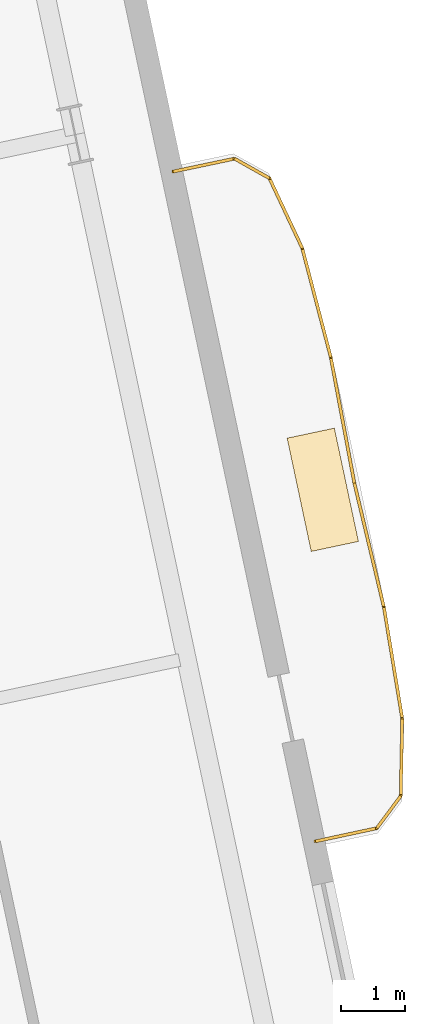
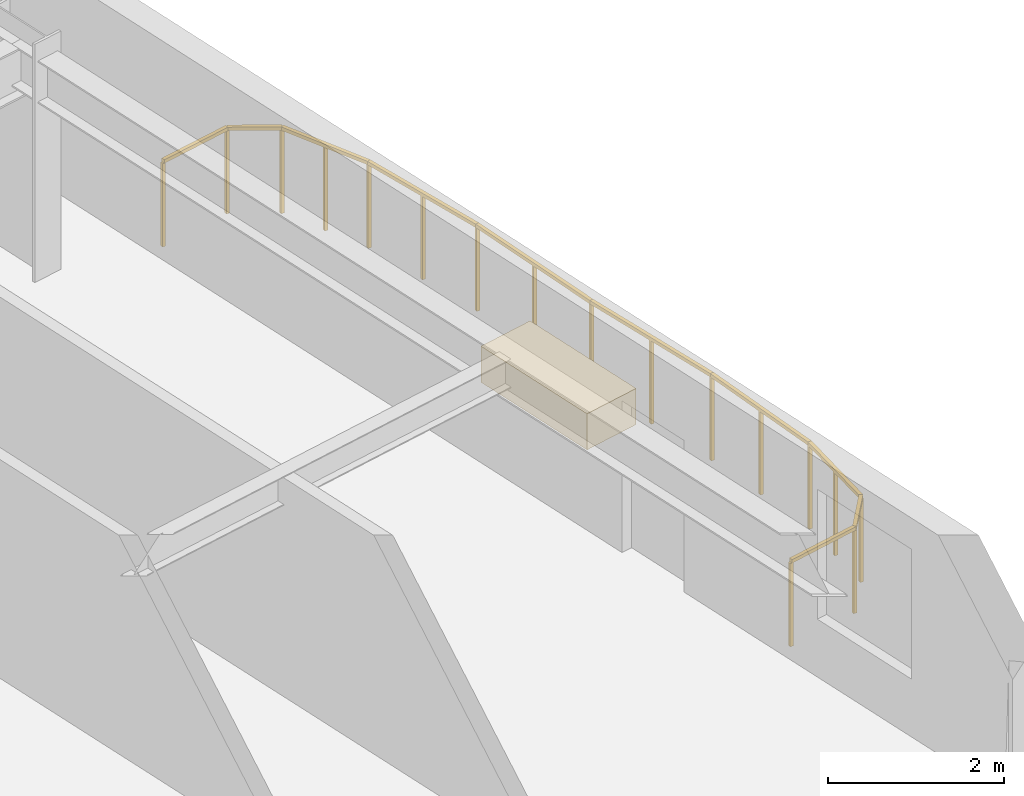
# One storey, part 17 of 17: 10 railings, 1 covering.
"""IFC4 building model written with IfcOpenShell, lengths in metres."""

from ifc_helpers import new_model, si_unit, direction, frame, origin, origin_2d, place, context, subcontext, project, spatial, rectangle, extrude, material, layer, layer_set, type_object, element, save


model = new_model("IFC4")

# Units and contexts
model_context = context("Model", 3, precision=1e-05, world=origin(), true_north=direction((0.0, 1.0)))
body_context = subcontext(model_context, "Body", "Model", "MODEL_VIEW")
ifc_project = project(units=[si_unit("LENGTHUNIT", "METRE"), si_unit("AREAUNIT", "SQUARE_METRE"), si_unit("VOLUMEUNIT", "CUBIC_METRE"), si_unit("PLANEANGLEUNIT", "RADIAN"), si_unit("MASSUNIT", "GRAM", prefix="KILO")], contexts=[model_context])

# Site, building, storey
site_placement = place(None, origin())
site = spatial("IfcSite", under=ifc_project, at=site_placement, CompositionType="ELEMENT")
building_placement = place(site_placement, origin())
building = spatial("IfcBuilding", under=site, at=building_placement, Name="Haevon Station Towers", CompositionType="ELEMENT")
storey_placement = place(building_placement, frame((0.0, 0.0, 37.199951171875)))
storey = spatial("IfcBuildingStorey", under=building, at=storey_placement, Name="L08", CompositionType="ELEMENT", Elevation=37.199951171875)

# Railings
ifc_material_1 = material(Name="Steel S355", Category="steel")
railing_type = type_object("IfcRailingType", Name="GRD-EXT1200", PredefinedType="GUARDRAIL", material=ifc_material_1)
railing_1_placement = place(storey_placement, frame((138.47021484375, 28.175537109375, 0.0)))
element("IfcRailing", 1, at=railing_1_placement, inside=storey, type_object=railing_type, Name="L08 Perimeter Guardrail 1", PredefinedType="GUARDRAIL", context=body_context, shape_type="SweptSolid", body=[
    extrude(rectangle(XDim=0.048095703125, YDim=0.048095703125, at=origin_2d()), frame((0.0, 0.0, 1.17578125), z_axis=(0.977706975704, 0.209973973767, 0.0), x_axis=(-0.209973973767, 0.977706975704, 0.0)), (0.0, 0.0, 1.0), 0.974365234375),
    extrude(rectangle(XDim=0.0419921875, YDim=0.0419921875, at=origin_2d()), origin(), (0.0, 0.0, 1.0), 1.15185546875),
    extrude(rectangle(XDim=0.0419921875, YDim=0.0419921875, at=origin_2d()), frame((0.95263671875, 0.20458984375, 0.0)), (0.0, 0.0, 1.0), 1.15185546875),
])
railing_2_placement = place(storey_placement, frame((139.4228515625, 28.380126953125, 0.0)))
element("IfcRailing", 2, at=railing_2_placement, inside=storey, type_object=railing_type, Name="L08 Perimeter Guardrail 2", PredefinedType="GUARDRAIL", context=body_context, shape_type="SweptSolid", body=[
    extrude(rectangle(XDim=0.048095703125, YDim=0.048095703125, at=origin_2d()), frame((0.0, 0.0, 1.17578125), z_axis=(0.597298351772, 0.802019126312, 0.0), x_axis=(-0.802019126312, 0.597298351772, 0.0)), (0.0, 0.0, 1.0), 0.62255859375),
    extrude(rectangle(XDim=0.0419921875, YDim=0.0419921875, at=origin_2d()), origin(), (0.0, 0.0, 1.0), 1.15185546875),
    extrude(rectangle(XDim=0.0419921875, YDim=0.0419921875, at=origin_2d()), frame((0.371826171875, 0.499267578125, 0.0)), (0.0, 0.0, 1.0), 1.15185546875),
])
railing_3_placement = place(storey_placement, frame((139.794677734375, 28.87939453125, 0.0)))
element("IfcRailing", 3, at=railing_3_placement, inside=storey, type_object=railing_type, Name="L08 Perimeter Guardrail 3", PredefinedType="GUARDRAIL", context=body_context, shape_type="SweptSolid", body=[
    extrude(rectangle(XDim=0.048095703125, YDim=0.048095703125, at=origin_2d()), frame((0.0, 0.0, 1.17578125), z_axis=(0.019910703659, 0.999801762291, 0.0), x_axis=(-0.999801762291, 0.019910703659, 0.0)), (0.0, 0.0, 1.0), 1.20166015625),
    extrude(rectangle(XDim=0.0419921875, YDim=0.0419921875, at=origin_2d()), origin(), (0.0, 0.0, 1.0), 1.15185546875),
    extrude(rectangle(XDim=0.0419921875, YDim=0.0419921875, at=origin_2d()), frame((0.011962890625, 0.6005859375, 0.0)), (0.0, 0.0, 1.0), 1.15185546875),
    extrude(rectangle(XDim=0.0419921875, YDim=0.0419921875, at=origin_2d()), frame((0.02392578125, 1.201416015625, 0.0)), (0.0, 0.0, 1.0), 1.15185546875),
])
railing_4_placement = place(storey_placement, frame((139.818603515625, 30.080810546875, 0.0)))
element("IfcRailing", 4, at=railing_4_placement, inside=storey, type_object=railing_type, Name="L08 Perimeter Guardrail 4", PredefinedType="GUARDRAIL", context=body_context, shape_type="SweptSolid", body=[
    extrude(rectangle(XDim=0.048095703125, YDim=0.048095703125, at=origin_2d()), frame((0.0, 0.0, 1.17578125), z_axis=(-0.162409275906, 0.986723480566, 0.0), x_axis=(-0.986723480566, -0.162409275906, 0.0)), (0.0, 0.0, 1.0), 1.751220703125),
    extrude(rectangle(XDim=0.0419921875, YDim=0.0419921875, at=origin_2d()), origin(), (0.0, 0.0, 1.0), 1.15185546875),
    extrude(rectangle(XDim=0.0419921875, YDim=0.0419921875, at=origin_2d()), frame((-0.14208984375, 0.864013671875, 0.0)), (0.0, 0.0, 1.0), 1.15185546875),
    extrude(rectangle(XDim=0.0419921875, YDim=0.0419921875, at=origin_2d()), frame((-0.284423828125, 1.72802734375, 0.0)), (0.0, 0.0, 1.0), 1.15185546875),
])
railing_5_placement = place(storey_placement, frame((139.5341796875, 31.808837890625, 0.0)))
element("IfcRailing", 5, at=railing_5_placement, inside=storey, type_object=railing_type, Name="L08 Perimeter Guardrail 5", PredefinedType="GUARDRAIL", context=body_context, shape_type="SweptSolid", body=[
    extrude(rectangle(XDim=0.048095703125, YDim=0.048095703125, at=origin_2d()), frame((0.0, 0.0, 1.17578125), z_axis=(-0.231493371958, 0.972836480987, 0.0), x_axis=(-0.972836480987, -0.231493371958, 0.0)), (0.0, 0.0, 1.0), 1.989990234375),
    extrude(rectangle(XDim=0.0419921875, YDim=0.0419921875, at=origin_2d()), origin(), (0.0, 0.0, 1.0), 1.15185546875),
    extrude(rectangle(XDim=0.0419921875, YDim=0.0419921875, at=origin_2d()), frame((-0.23046875, 0.968017578125, 0.0)), (0.0, 0.0, 1.0), 1.15185546875),
    extrude(rectangle(XDim=0.0419921875, YDim=0.0419921875, at=origin_2d()), frame((-0.460693359375, 1.93603515625, 0.0)), (0.0, 0.0, 1.0), 1.15185546875),
])
railing_6_placement = place(storey_placement, frame((139.073486328125, 33.744873046875, 0.0)))
element("IfcRailing", 6, at=railing_6_placement, inside=storey, type_object=railing_type, Name="L08 Perimeter Guardrail 6", PredefinedType="GUARDRAIL", context=body_context, shape_type="SweptSolid", body=[
    extrude(rectangle(XDim=0.048095703125, YDim=0.048095703125, at=origin_2d()), frame((0.0, 0.0, 1.17578125), z_axis=(-0.184162599312, 0.982895791534, 0.0), x_axis=(-0.982895791534, -0.184162599312, 0.0)), (0.0, 0.0, 1.0), 1.98974609375),
    extrude(rectangle(XDim=0.0419921875, YDim=0.0419921875, at=origin_2d()), origin(), (0.0, 0.0, 1.0), 1.15185546875),
    extrude(rectangle(XDim=0.0419921875, YDim=0.0419921875, at=origin_2d()), frame((-0.18310546875, 0.97802734375, 0.0)), (0.0, 0.0, 1.0), 1.15185546875),
    extrude(rectangle(XDim=0.0419921875, YDim=0.0419921875, at=origin_2d()), frame((-0.366455078125, 1.955810546875, 0.0)), (0.0, 0.0, 1.0), 1.15185546875),
])
railing_7_placement = place(storey_placement, frame((138.70703125, 35.70068359375, 0.0)))
element("IfcRailing", 7, at=railing_7_placement, inside=storey, type_object=railing_type, Name="L08 Perimeter Guardrail 7", PredefinedType="GUARDRAIL", context=body_context, shape_type="SweptSolid", body=[
    extrude(rectangle(XDim=0.048095703125, YDim=0.048095703125, at=origin_2d()), frame((0.0, 0.0, 1.17578125), z_axis=(-0.252983588082, 0.967470570178, 0.0), x_axis=(-0.967470570178, -0.252983588082, 0.0)), (0.0, 0.0, 1.0), 1.75146484375),
    extrude(rectangle(XDim=0.0419921875, YDim=0.0419921875, at=origin_2d()), origin(), (0.0, 0.0, 1.0), 1.15185546875),
    extrude(rectangle(XDim=0.0419921875, YDim=0.0419921875, at=origin_2d()), frame((-0.2216796875, 0.84716796875, 0.0)), (0.0, 0.0, 1.0), 1.15185546875),
    extrude(rectangle(XDim=0.0419921875, YDim=0.0419921875, at=origin_2d()), frame((-0.443115234375, 1.694580078125, 0.0)), (0.0, 0.0, 1.0), 1.15185546875),
])
railing_8_placement = place(storey_placement, frame((138.263916015625, 37.395263671875, 0.0)))
element("IfcRailing", 8, at=railing_8_placement, inside=storey, type_object=railing_type, Name="L08 Perimeter Guardrail 8", PredefinedType="GUARDRAIL", context=body_context, shape_type="SweptSolid", body=[
    extrude(rectangle(XDim=0.048095703125, YDim=0.048095703125, at=origin_2d()), frame((0.0, 0.0, 1.17578125), z_axis=(-0.424886747768, 0.905246514255, 0.0), x_axis=(-0.905246514255, -0.424886747768, 0.0)), (0.0, 0.0, 1.0), 1.201416015625),
    extrude(rectangle(XDim=0.0419921875, YDim=0.0419921875, at=origin_2d()), origin(), (0.0, 0.0, 1.0), 1.15185546875),
    extrude(rectangle(XDim=0.0419921875, YDim=0.0419921875, at=origin_2d()), frame((-0.25537109375, 0.5439453125, 0.0)), (0.0, 0.0, 1.0), 1.15185546875),
    extrude(rectangle(XDim=0.0419921875, YDim=0.0419921875, at=origin_2d()), frame((-0.510498046875, 1.087646484375, 0.0)), (0.0, 0.0, 1.0), 1.15185546875),
])
railing_9_placement = place(storey_placement, frame((137.75341796875, 38.48291015625, 0.0)))
element("IfcRailing", 9, at=railing_9_placement, inside=storey, type_object=railing_type, Name="L08 Perimeter Guardrail 9", PredefinedType="GUARDRAIL", context=body_context, shape_type="SweptSolid", body=[
    extrude(rectangle(XDim=0.048095703125, YDim=0.048095703125, at=origin_2d()), frame((0.0, 0.0, 1.17578125), z_axis=(-0.871816325909, 0.489832924454, 0.0), x_axis=(-0.489832924454, -0.871816325909, 0.0)), (0.0, 0.0, 1.0), 0.62255859375),
    extrude(rectangle(XDim=0.0419921875, YDim=0.0419921875, at=origin_2d()), origin(), (0.0, 0.0, 1.0), 1.15185546875),
    extrude(rectangle(XDim=0.0419921875, YDim=0.0419921875, at=origin_2d()), frame((-0.542724609375, 0.304931640625, 0.0)), (0.0, 0.0, 1.0), 1.15185546875),
])
railing_10_placement = place(storey_placement, frame((137.210693359375, 38.787841796875, 0.0)))
element("IfcRailing", 10, at=railing_10_placement, inside=storey, type_object=railing_type, Name="L08 Perimeter Guardrail 10", PredefinedType="GUARDRAIL", context=body_context, shape_type="SweptSolid", body=[
    extrude(rectangle(XDim=0.048095703125, YDim=0.048095703125, at=origin_2d()), frame((0.0, 0.0, 1.17578125), z_axis=(-0.978565730841, -0.205934723695, 0.0), x_axis=(0.205934723695, -0.978565730841, 0.0)), (0.0, 0.0, 1.0), 0.974609375),
    extrude(rectangle(XDim=0.0419921875, YDim=0.0419921875, at=origin_2d()), origin(), (0.0, 0.0, 1.0), 1.15185546875),
    extrude(rectangle(XDim=0.0419921875, YDim=0.0419921875, at=origin_2d()), frame((-0.95361328125, -0.20068359375, 0.0)), (0.0, 0.0, 1.0), 1.15185546875),
])

# Covering
ifc_material_2 = material(Name="Architectural planter GRC", Category="concrete")
ifc_layer = layer(ifc_material_2, 0.550048828125)
ifc_layer_set = layer_set([ifc_layer], Name="Architectural planter GRC")
covering_type = type_object("IfcCoveringType", Name="PLN-GRC550", PredefinedType="MOLDING", material=ifc_layer_set)
covering_placement = place(storey_placement, frame((138.58251953125, 33.640380859375, 0.0), z_axis=(0.0, 0.0, 1.0), x_axis=(0.978147600734, 0.207911690818, 0.0)))
element("IfcCovering", 11, at=covering_placement, inside=storey, type_object=covering_type, Name="Tower 2 L08 Scalloped Balcony PLANTER", PredefinedType="MOLDING", context=body_context, shape_type="SweptSolid", body=[
    extrude(rectangle(XDim=0.75, YDim=1.800048828125, at=origin_2d()), origin(), (0.0, 0.0, 1.0), 0.5),
])

save(model, "model.ifc")
